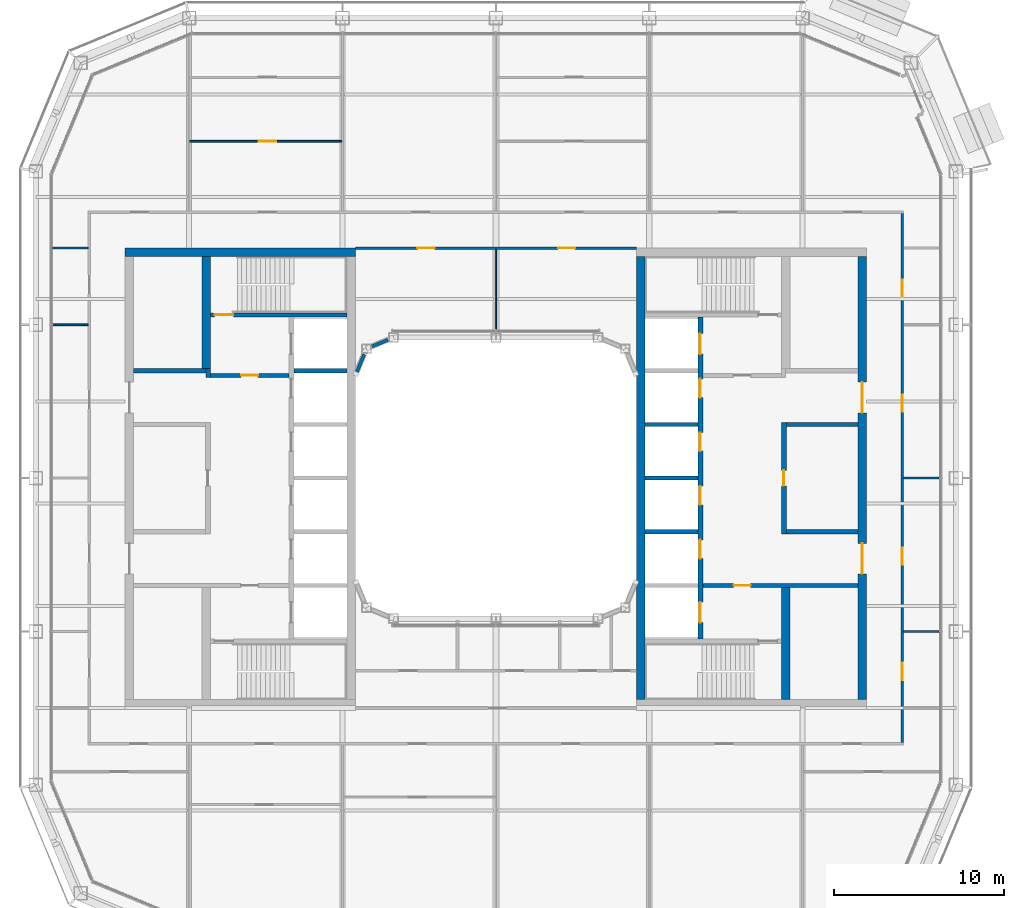
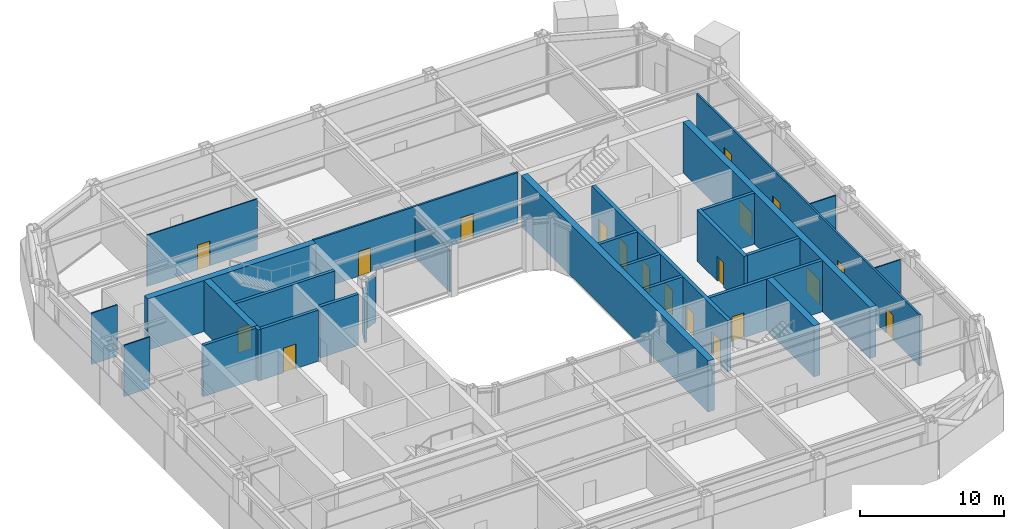
# One storey, part 14 of 23: 28 walls, 19 doors, 19 openings.
"""IFC4 building model written with IfcOpenShell, lengths in metres."""

from ifc_helpers import new_model, si_unit, direction, frame, frame_2d, origin, place, context, subcontext, project, spatial, rectangle, extrude, material, layer, layer_set, type_object, element, fill, save


model = new_model("IFC4")

# Units and contexts
model_context = context("Model", 3, precision=1e-05, world=origin(), true_north=direction((0.0, 1.0)))
body_context = subcontext(model_context, "Body", "Model", "MODEL_VIEW")
ifc_project = project(units=[si_unit("LENGTHUNIT", "METRE"), si_unit("AREAUNIT", "SQUARE_METRE"), si_unit("VOLUMEUNIT", "CUBIC_METRE"), si_unit("PLANEANGLEUNIT", "RADIAN"), si_unit("MASSUNIT", "GRAM", prefix="KILO")], contexts=[model_context])

# Site, building, storey
site_placement = place(None, origin())
site = spatial("IfcSite", under=ifc_project, at=site_placement, CompositionType="ELEMENT")
building_placement = place(site_placement, origin())
building = spatial("IfcBuilding", under=site, at=building_placement, Name="Siwar Civic Tower", CompositionType="ELEMENT")
storey_placement = place(building_placement, frame((0.0, 0.0, 242.199951171875)))
storey = spatial("IfcBuildingStorey", under=building, at=storey_placement, Name="L52", CompositionType="ELEMENT", Elevation=242.199951171875)

# Wall, opening, door
ifc_material_1 = material(Name="Concrete C60/75", Category="concrete")
ifc_layer_1 = layer(ifc_material_1, 0.25)
ifc_layer_set_1 = layer_set([ifc_layer_1], Name="Concrete C60/75")
wall_type_1 = type_object("IfcWallType", Name="CORE-WALL-RC250", PredefinedType="SHEAR", material=ifc_layer_set_1)
wall_1_placement = place(storey_placement, frame((-12.14990234375, 6.02490234375, 0.0), z_axis=(0.0, 0.0, 1.0), x_axis=(-1.0, 0.0, 0.0)))
wall_1 = element("IfcWall", 1, at=wall_1_placement, inside=storey, type_object=wall_type_1, Name="Core wall W", PredefinedType="SHEAR", context=body_context, shape_type="SweptSolid", body=[
    extrude(rectangle(XDim=4.60009765625, YDim=0.25, at=frame_2d((2.300048828125, 0.0))), origin(), (0.0, 0.0, 1.0), 4.35009765625),
])
opening_1_placement = place(wall_1_placement, frame((1.800048828125, 0.0, 0.0)))
opening_1 = element("IfcOpeningElement", 2, at=opening_1_placement, cuts=wall_1, Name="Opening L52-CW01", PredefinedType="OPENING", context=body_context, shape_type="SweptSolid", body=[
    extrude(rectangle(XDim=1.0, YDim=2.10009765625, at=frame_2d((0.5, 1.050048828125))), frame((0.0, 0.135009765625, 0.0), z_axis=(0.0, -1.0, 0.0), x_axis=(1.0, 0.0, 0.0)), (0.0, 0.0, 1.0), 0.27001953125),
])
ifc_material_2 = material(Name="Steel door leaf", Category="steel")
door_type_1 = type_object("IfcDoorType", Name="CORE-DOOR-FD30S", OperationType="SINGLE_SWING_LEFT", PredefinedType="DOOR", material=ifc_material_2)
door_1_placement = place(opening_1_placement, origin())
door_1 = element("IfcDoor", 3, at=door_1_placement, inside=storey, type_object=door_type_1, Name="Firefighting lobby door L52-CW01", OperationType="SINGLE_SWING_LEFT", OverallHeight=2.10009765625, OverallWidth=1.0, PredefinedType="DOOR", context=body_context, shape_type="SweptSolid", body=[
    extrude(rectangle(XDim=1.0, YDim=2.10009765625, at=frame_2d((0.5, 1.050048828125))), frame((0.0, 0.02490234375, 0.0), z_axis=(0.0, -1.0, 0.0), x_axis=(1.0, 0.0, 0.0)), (0.0, 0.0, 1.0), 0.050048828125),
])
fill(opening_1, door_1)

# Walls
wall_2_placement = place(storey_placement, frame((-16.875, 5.89990234375, 0.0), z_axis=(0.0, 0.0, 1.0), x_axis=(0.0, 1.0, 0.0)))
element("IfcWall", 4, at=wall_2_placement, inside=storey, type_object=wall_type_1, Name="Core wall W", PredefinedType="SHEAR", context=body_context, shape_type="SweptSolid", body=[
    extrude(rectangle(XDim=0.525146484375, YDim=0.25, at=frame_2d((0.2626953125, 0.0))), origin(), (0.0, 0.0, 1.0), 4.35009765625),
])
wall_3_placement = place(storey_placement, frame((-17.0, 6.300048828125, 0.0), z_axis=(0.0, 0.0, 1.0), x_axis=(-1.0, 0.0, 0.0)))
element("IfcWall", 5, at=wall_3_placement, inside=storey, type_object=wall_type_1, Name="Core wall W", PredefinedType="SHEAR", context=body_context, shape_type="SweptSolid", body=[
    extrude(rectangle(XDim=4.25, YDim=0.25, at=frame_2d((2.125, 0.0))), origin(), (0.0, 0.0, 1.0), 4.35009765625),
])
wall_4_placement = place(storey_placement, frame((-8.75, 6.300048828125, 0.0), z_axis=(0.0, 0.0, 1.0), x_axis=(-1.0, 0.0, 0.0)))
element("IfcWall", 6, at=wall_4_placement, inside=storey, type_object=wall_type_1, Name="Core wall W", PredefinedType="SHEAR", context=body_context, shape_type="SweptSolid", body=[
    extrude(rectangle(XDim=3.10009765625, YDim=0.25, at=frame_2d((1.550048828125, 0.0))), origin(), (0.0, 0.0, 1.0), 4.35009765625),
])

# Wall, opening, door
wall_5_placement = place(storey_placement, frame((-8.75, 9.574951171875, 0.0), z_axis=(0.0, 0.0, 1.0), x_axis=(-1.0, 0.0, 0.0)))
wall_5 = element("IfcWall", 7, at=wall_5_placement, inside=storey, type_object=wall_type_1, Name="Core wall W", PredefinedType="SHEAR", context=body_context, shape_type="SweptSolid", body=[
    extrude(rectangle(XDim=8.0, YDim=0.25, at=frame_2d((4.0, 0.0))), origin(), (0.0, 0.0, 1.0), 4.35009765625),
])
opening_2_placement = place(wall_5_placement, frame((6.64990234375, 0.0, 0.0)))
opening_2 = element("IfcOpeningElement", 8, at=opening_2_placement, cuts=wall_5, Name="Opening L52-CW03", PredefinedType="OPENING", context=body_context, shape_type="SweptSolid", body=[
    extrude(rectangle(XDim=1.10009765625, YDim=2.10009765625, at=frame_2d((0.550048828125, 1.050048828125))), frame((0.0, 0.135009765625, 0.0), z_axis=(0.0, -1.0, 0.0), x_axis=(1.0, 0.0, 0.0)), (0.0, 0.0, 1.0), 0.27001953125),
])
ifc_material_3 = material(Name="Steel door leaf", Category="steel")
door_type_2 = type_object("IfcDoorType", Name="CORE-DOOR-FD60S", OperationType="SINGLE_SWING_LEFT", PredefinedType="DOOR", material=ifc_material_3)
door_2_placement = place(opening_2_placement, origin())
door_2 = element("IfcDoor", 9, at=door_2_placement, inside=storey, type_object=door_type_2, Name="Stair door L52-CW03", OperationType="SINGLE_SWING_RIGHT", OverallHeight=2.10009765625, OverallWidth=1.10009765625, PredefinedType="DOOR", context=body_context, shape_type="SweptSolid", body=[
    extrude(rectangle(XDim=1.10009765625, YDim=2.10009765625, at=frame_2d((0.550048828125, 1.050048828125))), frame((0.0, 0.02490234375, 0.0), z_axis=(0.0, -1.0, 0.0), x_axis=(1.0, 0.0, 0.0)), (0.0, 0.0, 1.0), 0.050048828125),
])
fill(opening_2, door_2)

wall_6_placement = place(storey_placement, frame((12.14990234375, -6.300048828125, 0.0), z_axis=(0.0, 0.0, 1.0), x_axis=(1.0, 0.0, 0.0)))
wall_6 = element("IfcWall", 10, at=wall_6_placement, inside=storey, type_object=wall_type_1, Name="Core wall E", PredefinedType="SHEAR", context=body_context, shape_type="SweptSolid", body=[
    extrude(rectangle(XDim=9.10009765625, YDim=0.25, at=frame_2d((4.550048828125, 0.0))), origin(), (0.0, 0.0, 1.0), 4.35009765625),
])
opening_3_placement = place(wall_6_placement, frame((1.800048828125, 0.0, 0.0)))
opening_3 = element("IfcOpeningElement", 11, at=opening_3_placement, cuts=wall_6, Name="Opening L52-CE02", PredefinedType="OPENING", context=body_context, shape_type="SweptSolid", body=[
    extrude(rectangle(XDim=1.0, YDim=2.10009765625, at=frame_2d((0.5, 1.050048828125))), frame((0.0, 0.135009765625, 0.0), z_axis=(0.0, -1.0, 0.0), x_axis=(1.0, 0.0, 0.0)), (0.0, 0.0, 1.0), 0.27001953125),
])
door_3_placement = place(opening_3_placement, origin())
door_3 = element("IfcDoor", 12, at=door_3_placement, inside=storey, type_object=door_type_1, Name="Service lobby door L52-CE02", OperationType="SINGLE_SWING_LEFT", OverallHeight=2.10009765625, OverallWidth=1.0, PredefinedType="DOOR", context=body_context, shape_type="SweptSolid", body=[
    extrude(rectangle(XDim=1.0, YDim=2.10009765625, at=frame_2d((0.5, 1.050048828125))), frame((0.0, 0.02490234375, 0.0), z_axis=(0.0, -1.0, 0.0), x_axis=(1.0, 0.0, 0.0)), (0.0, 0.0, 1.0), 0.050048828125),
])
fill(opening_3, door_3)

# Walls
for number, where, z_axis, x_axis, name in (
    (13, (17.050048828125, 3.14990234375, 0.0), (0.0, 0.0, 1.0), (1.0, 0.0, 0.0), "Core wall E"),
    (14, (17.050048828125, -3.14990234375, 0.0), (0.0, 0.0, 1.0), (1.0, 0.0, 0.0), "Core wall E"),
):
    element("IfcWall", number, at=place(storey_placement, frame(where, z_axis=z_axis, x_axis=x_axis)), inside=storey, type_object=wall_type_1, Name=name, PredefinedType="SHEAR", context=body_context, shape_type="SweptSolid", body=[
        extrude(rectangle(XDim=4.199951171875, YDim=0.25, at=frame_2d((2.10009765625, 0.0))), origin(), (0.0, 0.0, 1.0), 4.35009765625),
    ])
for number, where, z_axis, x_axis, name in (
    (15, (8.75, 0.0, 0.0), (0.0, 0.0, 1.0), (1.0, 0.0, 0.0), "Core wall E"),
    (16, (8.75, 3.14990234375, 0.0), (0.0, 0.0, 1.0), (1.0, 0.0, 0.0), "Core wall E"),
    (17, (8.75, -3.14990234375, 0.0), (0.0, 0.0, 1.0), (1.0, 0.0, 0.0), "Core wall E"),
):
    element("IfcWall", number, at=place(storey_placement, frame(where, z_axis=z_axis, x_axis=x_axis)), inside=storey, type_object=wall_type_1, Name=name, PredefinedType="SHEAR", context=body_context, shape_type="SweptSolid", body=[
        extrude(rectangle(XDim=3.10009765625, YDim=0.25, at=frame_2d((1.550048828125, 0.0))), origin(), (0.0, 0.0, 1.0), 4.35009765625),
    ])

# Wall, openings, doors
ifc_material_4 = material(Name="Concrete C60/75", Category="concrete")
ifc_layer_2 = layer(ifc_material_4, 0.300048828125)
ifc_layer_set_2 = layer_set([ifc_layer_2], Name="Concrete C60/75")
wall_type_2 = type_object("IfcWallType", Name="CORE-WALL-RC300", PredefinedType="SHEAR", material=ifc_layer_set_2)
wall_7_placement = place(storey_placement, frame((12.0, -9.449951171875, 0.0), z_axis=(0.0, 0.0, 1.0), x_axis=(0.0, 1.0, 0.0)))
wall_7 = element("IfcWall", 18, at=wall_7_placement, inside=storey, type_object=wall_type_2, Name="Core wall E", PredefinedType="SHEAR", context=body_context, shape_type="SweptSolid", body=[
    extrude(rectangle(XDim=18.89990234375, YDim=0.300048828125, at=frame_2d((9.449951171875, 0.0))), origin(), (0.0, 0.0, 1.0), 4.35009765625),
])
opening_4_placement = place(wall_7_placement, frame((4.72509765625, 0.0, 0.0)))
opening_4 = element("IfcOpeningElement", 19, at=opening_4_placement, cuts=wall_7, Name="Opening L52-CE07", PredefinedType="OPENING", context=body_context, shape_type="SweptSolid", body=[
    extrude(rectangle(XDim=1.10009765625, YDim=2.10009765625, at=frame_2d((0.550048828125, 1.050048828125))), frame((0.0, 0.16015625, 0.0), z_axis=(0.0, -1.0, 0.0), x_axis=(1.0, 0.0, 0.0)), (0.0, 0.0, 1.0), 0.320068359375),
])
opening_5_placement = place(wall_7_placement, frame((7.875, 0.0, 0.0)))
opening_5 = element("IfcOpeningElement", 20, at=opening_5_placement, cuts=wall_7, Name="Opening L52-CE08", PredefinedType="OPENING", context=body_context, shape_type="SweptSolid", body=[
    extrude(rectangle(XDim=1.10009765625, YDim=2.10009765625, at=frame_2d((0.550048828125, 1.050048828125))), frame((0.0, 0.16015625, 0.0), z_axis=(0.0, -1.0, 0.0), x_axis=(1.0, 0.0, 0.0)), (0.0, 0.0, 1.0), 0.320068359375),
])
opening_6_placement = place(wall_7_placement, frame((11.02490234375, 0.0, 0.0)))
opening_6 = element("IfcOpeningElement", 21, at=opening_6_placement, cuts=wall_7, Name="Opening L52-CE09", PredefinedType="OPENING", context=body_context, shape_type="SweptSolid", body=[
    extrude(rectangle(XDim=1.10009765625, YDim=2.10009765625, at=frame_2d((0.550048828125, 1.050048828125))), frame((0.0, 0.16015625, 0.0), z_axis=(0.0, -1.0, 0.0), x_axis=(1.0, 0.0, 0.0)), (0.0, 0.0, 1.0), 0.320068359375),
])
opening_7_placement = place(wall_7_placement, frame((14.175048828125, 0.0, 0.0)))
opening_7 = element("IfcOpeningElement", 22, at=opening_7_placement, cuts=wall_7, Name="Opening L52-CE10", PredefinedType="OPENING", context=body_context, shape_type="SweptSolid", body=[
    extrude(rectangle(XDim=1.10009765625, YDim=2.10009765625, at=frame_2d((0.550048828125, 1.050048828125))), frame((0.0, 0.16015625, 0.0), z_axis=(0.0, -1.0, 0.0), x_axis=(1.0, 0.0, 0.0)), (0.0, 0.0, 1.0), 0.320068359375),
])
opening_8_placement = place(wall_7_placement, frame((16.72509765625, 0.0, 0.0)))
opening_8 = element("IfcOpeningElement", 23, at=opening_8_placement, cuts=wall_7, Name="Opening L52-CE11", PredefinedType="OPENING", context=body_context, shape_type="SweptSolid", body=[
    extrude(rectangle(XDim=1.199951171875, YDim=2.10009765625, at=frame_2d((0.60009765625, 1.050048828125))), frame((0.0, 0.16015625, 0.0), z_axis=(0.0, -1.0, 0.0), x_axis=(1.0, 0.0, 0.0)), (0.0, 0.0, 1.0), 0.320068359375),
])
opening_9_placement = place(wall_7_placement, frame((0.97509765625, 0.0, 0.0)))
opening_9 = element("IfcOpeningElement", 24, at=opening_9_placement, cuts=wall_7, Name="Opening L52-CE12", PredefinedType="OPENING", context=body_context, shape_type="SweptSolid", body=[
    extrude(rectangle(XDim=1.199951171875, YDim=2.10009765625, at=frame_2d((0.60009765625, 1.050048828125))), frame((0.0, 0.16015625, 0.0), z_axis=(0.0, -1.0, 0.0), x_axis=(1.0, 0.0, 0.0)), (0.0, 0.0, 1.0), 0.320068359375),
])
ifc_material_5 = material(Name="Steel door leaf", Category="steel")
door_type_3 = type_object("IfcDoorType", Name="CORE-DOOR-LD", OperationType="DOUBLE_DOOR_SLIDING", PredefinedType="DOOR", material=ifc_material_5)
door_4_placement = place(opening_4_placement, origin())
door_4 = element("IfcDoor", 25, at=door_4_placement, inside=storey, type_object=door_type_3, Name="Landing door HR5 L52-CE07", OperationType="DOUBLE_DOOR_SLIDING", OverallHeight=2.10009765625, OverallWidth=1.10009765625, PredefinedType="DOOR", context=body_context, shape_type="SweptSolid", body=[
    extrude(rectangle(XDim=1.10009765625, YDim=2.10009765625, at=frame_2d((0.550048828125, 1.050048828125))), frame((0.0, 0.02490234375, 0.0), z_axis=(0.0, -1.0, 0.0), x_axis=(1.0, 0.0, 0.0)), (0.0, 0.0, 1.0), 0.050048828125),
])
fill(opening_4, door_4)
door_5_placement = place(opening_5_placement, origin())
door_5 = element("IfcDoor", 26, at=door_5_placement, inside=storey, type_object=door_type_3, Name="Landing door HR6 L52-CE08", OperationType="DOUBLE_DOOR_SLIDING", OverallHeight=2.10009765625, OverallWidth=1.10009765625, PredefinedType="DOOR", context=body_context, shape_type="SweptSolid", body=[
    extrude(rectangle(XDim=1.10009765625, YDim=2.10009765625, at=frame_2d((0.550048828125, 1.050048828125))), frame((0.0, 0.02490234375, 0.0), z_axis=(0.0, -1.0, 0.0), x_axis=(1.0, 0.0, 0.0)), (0.0, 0.0, 1.0), 0.050048828125),
])
fill(opening_5, door_5)
door_6_placement = place(opening_6_placement, origin())
door_6 = element("IfcDoor", 27, at=door_6_placement, inside=storey, type_object=door_type_3, Name="Landing door HR7 L52-CE09", OperationType="DOUBLE_DOOR_SLIDING", OverallHeight=2.10009765625, OverallWidth=1.10009765625, PredefinedType="DOOR", context=body_context, shape_type="SweptSolid", body=[
    extrude(rectangle(XDim=1.10009765625, YDim=2.10009765625, at=frame_2d((0.550048828125, 1.050048828125))), frame((0.0, 0.02490234375, 0.0), z_axis=(0.0, -1.0, 0.0), x_axis=(1.0, 0.0, 0.0)), (0.0, 0.0, 1.0), 0.050048828125),
])
fill(opening_6, door_6)
door_7_placement = place(opening_7_placement, origin())
door_7 = element("IfcDoor", 28, at=door_7_placement, inside=storey, type_object=door_type_3, Name="Landing door HR8 L52-CE10", OperationType="DOUBLE_DOOR_SLIDING", OverallHeight=2.10009765625, OverallWidth=1.10009765625, PredefinedType="DOOR", context=body_context, shape_type="SweptSolid", body=[
    extrude(rectangle(XDim=1.10009765625, YDim=2.10009765625, at=frame_2d((0.550048828125, 1.050048828125))), frame((0.0, 0.02490234375, 0.0), z_axis=(0.0, -1.0, 0.0), x_axis=(1.0, 0.0, 0.0)), (0.0, 0.0, 1.0), 0.050048828125),
])
fill(opening_7, door_7)
ifc_material_6 = material(Name="Steel door leaf", Category="steel")
door_type_4 = type_object("IfcDoorType", Name="CORE-DOOR-LDW", OperationType="DOUBLE_DOOR_SLIDING", PredefinedType="DOOR", material=ifc_material_6)
door_8_placement = place(opening_8_placement, origin())
door_8 = element("IfcDoor", 29, at=door_8_placement, inside=storey, type_object=door_type_4, Name="Landing door FF2 L52-CE11", OperationType="DOUBLE_DOOR_SLIDING", OverallHeight=2.10009765625, OverallWidth=1.199951171875, PredefinedType="DOOR", context=body_context, shape_type="SweptSolid", body=[
    extrude(rectangle(XDim=1.199951171875, YDim=2.10009765625, at=frame_2d((0.60009765625, 1.050048828125))), frame((0.0, 0.02490234375, 0.0), z_axis=(0.0, -1.0, 0.0), x_axis=(1.0, 0.0, 0.0)), (0.0, 0.0, 1.0), 0.050048828125),
])
fill(opening_8, door_8)
door_9_placement = place(opening_9_placement, origin())
door_9 = element("IfcDoor", 30, at=door_9_placement, inside=storey, type_object=door_type_4, Name="Landing door SV2 L52-CE12", OperationType="DOUBLE_DOOR_SLIDING", OverallHeight=2.10009765625, OverallWidth=1.199951171875, PredefinedType="DOOR", context=body_context, shape_type="SweptSolid", body=[
    extrude(rectangle(XDim=1.199951171875, YDim=2.10009765625, at=frame_2d((0.60009765625, 1.050048828125))), frame((0.0, 0.02490234375, 0.0), z_axis=(0.0, -1.0, 0.0), x_axis=(1.0, 0.0, 0.0)), (0.0, 0.0, 1.0), 0.050048828125),
])
fill(opening_9, door_9)

# Wall, opening, door
wall_8_placement = place(storey_placement, frame((16.89990234375, -3.27490234375, 0.0), z_axis=(0.0, 0.0, 1.0), x_axis=(0.0, 1.0, 0.0)))
wall_8 = element("IfcWall", 31, at=wall_8_placement, inside=storey, type_object=wall_type_2, Name="Core wall E", PredefinedType="SHEAR", context=body_context, shape_type="SweptSolid", body=[
    extrude(rectangle(XDim=6.5498046875, YDim=0.300048828125, at=frame_2d((3.27490234375, 0.0))), origin(), (0.0, 0.0, 1.0), 4.35009765625),
])
opening_10_placement = place(wall_8_placement, frame((2.824951171875, 0.0, 0.0)))
opening_10 = element("IfcOpeningElement", 32, at=opening_10_placement, cuts=wall_8, Name="Opening L52-CE13", PredefinedType="OPENING", context=body_context, shape_type="SweptSolid", body=[
    extrude(rectangle(XDim=0.89990234375, YDim=2.10009765625, at=frame_2d((0.449951171875, 1.050048828125))), frame((0.0, 0.16015625, 0.0), z_axis=(0.0, -1.0, 0.0), x_axis=(1.0, 0.0, 0.0)), (0.0, 0.0, 1.0), 0.320068359375),
])
ifc_material_7 = material(Name="Steel door leaf", Category="steel")
door_type_5 = type_object("IfcDoorType", Name="CORE-DOOR-ROOM", OperationType="SINGLE_SWING_LEFT", PredefinedType="DOOR", material=ifc_material_7)
door_10_placement = place(opening_10_placement, origin())
door_10 = element("IfcDoor", 33, at=door_10_placement, inside=storey, type_object=door_type_5, Name="Core room door L52-CE13", OperationType="SINGLE_SWING_LEFT", OverallHeight=2.10009765625, OverallWidth=0.89990234375, PredefinedType="DOOR", context=body_context, shape_type="SweptSolid", body=[
    extrude(rectangle(XDim=0.89990234375, YDim=2.10009765625, at=frame_2d((0.449951171875, 1.050048828125))), frame((0.0, 0.02490234375, 0.0), z_axis=(0.0, -1.0, 0.0), x_axis=(1.0, 0.0, 0.0)), (0.0, 0.0, 1.0), 0.050048828125),
])
fill(opening_10, door_10)

# Walls
ifc_material_8 = material(Name="Concrete C60/75", Category="concrete")
ifc_layer_3 = layer(ifc_material_8, 0.5)
ifc_layer_set_3 = layer_set([ifc_layer_3], Name="Concrete C60/75")
wall_type_3 = type_object("IfcWallType", Name="CORE-WALL-RC500", PredefinedType="SHEAR", material=ifc_layer_set_3)
wall_9_placement = place(storey_placement, frame((-17.0, 6.425048828125, 0.0), z_axis=(0.0, 0.0, 1.0), x_axis=(0.0, 1.0, 0.0)))
element("IfcWall", 34, at=wall_9_placement, inside=storey, type_object=wall_type_3, Name="Core wall W", PredefinedType="SHEAR", context=body_context, shape_type="SweptSolid", body=[
    extrude(rectangle(XDim=6.574951171875, YDim=0.5, at=frame_2d((3.28759765625, 0.0))), origin(), (0.0, 0.0, 1.0), 4.35009765625),
])
wall_10_placement = place(storey_placement, frame((-8.25, 13.25, 0.0), z_axis=(0.0, 0.0, 1.0), x_axis=(-1.0, 0.0, 0.0)))
element("IfcWall", 35, at=wall_10_placement, inside=storey, type_object=wall_type_3, Name="Core wall W", PredefinedType="SHEAR", context=body_context, shape_type="SweptSolid", body=[
    extrude(rectangle(XDim=13.5, YDim=0.5, at=frame_2d((6.75, 0.0))), origin(), (0.0, 0.0, 1.0), 4.35009765625),
])

# Wall, openings, doors
wall_11_placement = place(storey_placement, frame((21.5, -13.0, 0.0), z_axis=(0.0, 0.0, 1.0), x_axis=(0.0, 1.0, 0.0)))
wall_11 = element("IfcWall", 36, at=wall_11_placement, inside=storey, type_object=wall_type_3, Name="Core wall E", PredefinedType="SHEAR", context=body_context, shape_type="SweptSolid", body=[
    extrude(rectangle(XDim=26.0, YDim=0.5, at=frame_2d((13.0, 0.0))), origin(), (0.0, 0.0, 1.0), 4.35009765625),
])
opening_11_placement = place(wall_11_placement, frame((16.824951171875, 0.0, 0.0)))
opening_11 = element("IfcOpeningElement", 37, at=opening_11_placement, cuts=wall_11, Name="Opening L52-CE05", PredefinedType="OPENING", context=body_context, shape_type="SweptSolid", body=[
    extrude(rectangle(XDim=1.800048828125, YDim=2.10009765625, at=frame_2d((0.89990234375, 1.050048828125))), frame((0.0, 0.260009765625, 0.0), z_axis=(0.0, -1.0, 0.0), x_axis=(1.0, 0.0, 0.0)), (0.0, 0.0, 1.0), 0.52001953125),
])
opening_12_placement = place(wall_11_placement, frame((7.375, 0.0, 0.0)))
opening_12 = element("IfcOpeningElement", 38, at=opening_12_placement, cuts=wall_11, Name="Opening L52-CE06", PredefinedType="OPENING", context=body_context, shape_type="SweptSolid", body=[
    extrude(rectangle(XDim=1.800048828125, YDim=2.10009765625, at=frame_2d((0.89990234375, 1.050048828125))), frame((0.0, 0.260009765625, 0.0), z_axis=(0.0, -1.0, 0.0), x_axis=(1.0, 0.0, 0.0)), (0.0, 0.0, 1.0), 0.52001953125),
])
ifc_material_9 = material(Name="Steel door leaf", Category="steel")
door_type_6 = type_object("IfcDoorType", Name="CORE-DOOR-PORT", OperationType="DOUBLE_DOOR_DOUBLE_SWING", PredefinedType="DOOR", material=ifc_material_9)
door_11_placement = place(opening_11_placement, origin())
door_11 = element("IfcDoor", 39, at=door_11_placement, inside=storey, type_object=door_type_6, Name="Core entrance door L52-CE05", OperationType="DOUBLE_DOOR_DOUBLE_SWING", OverallHeight=2.10009765625, OverallWidth=1.800048828125, PredefinedType="DOOR", context=body_context, shape_type="SweptSolid", body=[
    extrude(rectangle(XDim=1.800048828125, YDim=2.10009765625, at=frame_2d((0.89990234375, 1.050048828125))), frame((0.0, 0.02490234375, 0.0), z_axis=(0.0, -1.0, 0.0), x_axis=(1.0, 0.0, 0.0)), (0.0, 0.0, 1.0), 0.050048828125),
])
fill(opening_11, door_11)
door_12_placement = place(opening_12_placement, origin())
door_12 = element("IfcDoor", 40, at=door_12_placement, inside=storey, type_object=door_type_6, Name="Core entrance door L52-CE06", OperationType="DOUBLE_DOOR_DOUBLE_SWING", OverallHeight=2.10009765625, OverallWidth=1.800048828125, PredefinedType="DOOR", context=body_context, shape_type="SweptSolid", body=[
    extrude(rectangle(XDim=1.800048828125, YDim=2.10009765625, at=frame_2d((0.89990234375, 1.050048828125))), frame((0.0, 0.02490234375, 0.0), z_axis=(0.0, -1.0, 0.0), x_axis=(1.0, 0.0, 0.0)), (0.0, 0.0, 1.0), 0.050048828125),
])
fill(opening_12, door_12)

# Walls
wall_12_placement = place(storey_placement, frame((17.0, -13.0, 0.0), z_axis=(0.0, 0.0, 1.0), x_axis=(0.0, 1.0, 0.0)))
element("IfcWall", 41, at=wall_12_placement, inside=storey, type_object=wall_type_3, Name="Core wall E", PredefinedType="SHEAR", context=body_context, shape_type="SweptSolid", body=[
    extrude(rectangle(XDim=6.574951171875, YDim=0.5, at=frame_2d((3.28759765625, 0.0))), origin(), (0.0, 0.0, 1.0), 4.35009765625),
])
ifc_material_10 = material(Name="Concrete C60/75", Category="concrete")
ifc_layer_4 = layer(ifc_material_10, 0.5)
ifc_layer_set_4 = layer_set([ifc_layer_4], Name="Concrete C60/75")
wall_type_4 = type_object("IfcWallType", Name="CORE-WALL-RC500-EXT", PredefinedType="SHEAR", material=ifc_layer_set_4)
wall_13_placement = place(storey_placement, frame((8.5, -13.0, 0.0), z_axis=(0.0, 0.0, 1.0), x_axis=(0.0, 1.0, 0.0)))
element("IfcWall", 42, at=wall_13_placement, inside=storey, type_object=wall_type_4, Name="Core wall E", PredefinedType="SHEAR", context=body_context, shape_type="SweptSolid", body=[
    extrude(rectangle(XDim=26.0, YDim=0.5, at=frame_2d((13.0, 0.0))), origin(), (0.0, 0.0, 1.0), 4.35009765625),
])

# Wall, openings, doors
ifc_material_11 = material(Name="Gypsum board on steel studs", Category="steel")
ifc_layer_5 = layer(ifc_material_11, 0.14990234375)
ifc_layer_set_5 = layer_set([ifc_layer_5], Name="Gypsum board on steel studs")
wall_type_5 = type_object("IfcWallType", Name="CORRIDOR PARTITION 150 EI 30", PredefinedType="PARTITIONING", material=ifc_layer_set_5)
wall_14_placement = place(storey_placement, frame((-8.25, 13.5, 0.0), z_axis=(0.0, 0.0, 1.0), x_axis=(1.0, 0.0, 0.0)))
wall_14 = element("IfcWall", 43, at=wall_14_placement, inside=storey, type_object=wall_type_5, Name="L52/wall/P19", PredefinedType="PARTITIONING", context=body_context, shape_type="SweptSolid", body=[
    extrude(rectangle(XDim=16.5, YDim=0.14990234375, at=frame_2d((8.25, 0.0))), origin(), (0.0, 0.0, 1.0), 4.35009765625),
])
opening_13_placement = place(wall_14_placement, frame((3.64990234375, 0.0, 0.0)))
opening_13 = element("IfcOpeningElement", 44, at=opening_13_placement, cuts=wall_14, Name="Opening D1", PredefinedType="OPENING", context=body_context, shape_type="SweptSolid", body=[
    extrude(rectangle(XDim=1.0, YDim=2.10009765625, at=frame_2d((0.5, 1.050048828125))), frame((0.0, 0.0849609375, 0.0), z_axis=(0.0, -1.0, 0.0), x_axis=(1.0, 0.0, 0.0)), (0.0, 0.0, 1.0), 0.169921875),
])
opening_14_placement = place(wall_14_placement, frame((11.89990234375, 0.0, 0.0)))
opening_14 = element("IfcOpeningElement", 45, at=opening_14_placement, cuts=wall_14, Name="Opening D1", PredefinedType="OPENING", context=body_context, shape_type="SweptSolid", body=[
    extrude(rectangle(XDim=1.0, YDim=2.10009765625, at=frame_2d((0.5, 1.050048828125))), frame((0.0, 0.0849609375, 0.0), z_axis=(0.0, -1.0, 0.0), x_axis=(1.0, 0.0, 0.0)), (0.0, 0.0, 1.0), 0.169921875),
])
ifc_material_12 = material(Name="Timber, painted", Category="wood")
door_type_7 = type_object("IfcDoorType", Name="DOOR 1000 X 2100 FD30", OperationType="SINGLE_SWING_LEFT", PredefinedType="DOOR", material=ifc_material_12)
door_13_placement = place(opening_13_placement, origin())
door_13 = element("IfcDoor", 46, at=door_13_placement, inside=storey, type_object=door_type_7, Name="L52-D29", OperationType="SINGLE_SWING_LEFT", OverallHeight=2.10009765625, OverallWidth=1.0, PredefinedType="DOOR", context=body_context, shape_type="SweptSolid", body=[
    extrude(rectangle(XDim=1.0, YDim=2.10009765625, at=frame_2d((0.5, 1.050048828125))), frame((0.0, 0.02490234375, 0.0), z_axis=(0.0, -1.0, 0.0), x_axis=(1.0, 0.0, 0.0)), (0.0, 0.0, 1.0), 0.050048828125),
])
fill(opening_13, door_13)
door_14_placement = place(opening_14_placement, origin())
door_14 = element("IfcDoor", 47, at=door_14_placement, inside=storey, type_object=door_type_7, Name="L52-D30", OperationType="SINGLE_SWING_RIGHT", OverallHeight=2.10009765625, OverallWidth=1.0, PredefinedType="DOOR", context=body_context, shape_type="SweptSolid", body=[
    extrude(rectangle(XDim=1.0, YDim=2.10009765625, at=frame_2d((0.5, 1.050048828125))), frame((0.0, 0.02490234375, 0.0), z_axis=(0.0, -1.0, 0.0), x_axis=(1.0, 0.0, 0.0)), (0.0, 0.0, 1.0), 0.050048828125),
])
fill(opening_14, door_14)

wall_15_placement = place(storey_placement, frame((23.85009765625, -15.52490234375, 0.0), z_axis=(0.0, 0.0, 1.0), x_axis=(0.0, 1.0, 0.0)))
wall_15 = element("IfcWall", 48, at=wall_15_placement, inside=storey, type_object=wall_type_5, Name="L52/wall/P40", PredefinedType="PARTITIONING", context=body_context, shape_type="SweptSolid", body=[
    extrude(rectangle(XDim=31.0498046875, YDim=0.14990234375, at=frame_2d((15.52490234375, 0.0))), origin(), (0.0, 0.0, 1.0), 4.35009765625),
])
opening_15_placement = place(wall_15_placement, frame((3.675048828125, 0.0, 0.0)))
opening_15 = element("IfcOpeningElement", 49, at=opening_15_placement, cuts=wall_15, Name="Opening D1", PredefinedType="OPENING", context=body_context, shape_type="SweptSolid", body=[
    extrude(rectangle(XDim=1.0, YDim=2.10009765625, at=frame_2d((0.5, 1.050048828125))), frame((0.0, 0.0849609375, 0.0), z_axis=(0.0, -1.0, 0.0), x_axis=(1.0, 0.0, 0.0)), (0.0, 0.0, 1.0), 0.169921875),
])
opening_16_placement = place(wall_15_placement, frame((10.425048828125, 0.0, 0.0)))
opening_16 = element("IfcOpeningElement", 50, at=opening_16_placement, cuts=wall_15, Name="Opening D1", PredefinedType="OPENING", context=body_context, shape_type="SweptSolid", body=[
    extrude(rectangle(XDim=1.0, YDim=2.10009765625, at=frame_2d((0.5, 1.050048828125))), frame((0.0, 0.0849609375, 0.0), z_axis=(0.0, -1.0, 0.0), x_axis=(1.0, 0.0, 0.0)), (0.0, 0.0, 1.0), 0.169921875),
])
opening_17_placement = place(wall_15_placement, frame((19.425048828125, 0.0, 0.0)))
opening_17 = element("IfcOpeningElement", 51, at=opening_17_placement, cuts=wall_15, Name="Opening D1", PredefinedType="OPENING", context=body_context, shape_type="SweptSolid", body=[
    extrude(rectangle(XDim=1.0, YDim=2.10009765625, at=frame_2d((0.5, 1.050048828125))), frame((0.0, 0.0849609375, 0.0), z_axis=(0.0, -1.0, 0.0), x_axis=(1.0, 0.0, 0.0)), (0.0, 0.0, 1.0), 0.169921875),
])
opening_18_placement = place(wall_15_placement, frame((26.175048828125, 0.0, 0.0)))
opening_18 = element("IfcOpeningElement", 52, at=opening_18_placement, cuts=wall_15, Name="Opening D1", PredefinedType="OPENING", context=body_context, shape_type="SweptSolid", body=[
    extrude(rectangle(XDim=1.0, YDim=2.10009765625, at=frame_2d((0.5, 1.050048828125))), frame((0.0, 0.0849609375, 0.0), z_axis=(0.0, -1.0, 0.0), x_axis=(1.0, 0.0, 0.0)), (0.0, 0.0, 1.0), 0.169921875),
])
door_15_placement = place(opening_15_placement, origin())
door_15 = element("IfcDoor", 53, at=door_15_placement, inside=storey, type_object=door_type_7, Name="L52-D25", OperationType="SINGLE_SWING_LEFT", OverallHeight=2.10009765625, OverallWidth=1.0, PredefinedType="DOOR", context=body_context, shape_type="SweptSolid", body=[
    extrude(rectangle(XDim=1.0, YDim=2.10009765625, at=frame_2d((0.5, 1.050048828125))), frame((0.0, 0.02490234375, 0.0), z_axis=(0.0, -1.0, 0.0), x_axis=(1.0, 0.0, 0.0)), (0.0, 0.0, 1.0), 0.050048828125),
])
fill(opening_15, door_15)
door_16_placement = place(opening_16_placement, origin())
door_16 = element("IfcDoor", 54, at=door_16_placement, inside=storey, type_object=door_type_7, Name="L52-D26", OperationType="SINGLE_SWING_RIGHT", OverallHeight=2.10009765625, OverallWidth=1.0, PredefinedType="DOOR", context=body_context, shape_type="SweptSolid", body=[
    extrude(rectangle(XDim=1.0, YDim=2.10009765625, at=frame_2d((0.5, 1.050048828125))), frame((0.0, 0.02490234375, 0.0), z_axis=(0.0, -1.0, 0.0), x_axis=(1.0, 0.0, 0.0)), (0.0, 0.0, 1.0), 0.050048828125),
])
fill(opening_16, door_16)
door_17_placement = place(opening_17_placement, origin())
door_17 = element("IfcDoor", 55, at=door_17_placement, inside=storey, type_object=door_type_7, Name="L52-D27", OperationType="SINGLE_SWING_LEFT", OverallHeight=2.10009765625, OverallWidth=1.0, PredefinedType="DOOR", context=body_context, shape_type="SweptSolid", body=[
    extrude(rectangle(XDim=1.0, YDim=2.10009765625, at=frame_2d((0.5, 1.050048828125))), frame((0.0, 0.02490234375, 0.0), z_axis=(0.0, -1.0, 0.0), x_axis=(1.0, 0.0, 0.0)), (0.0, 0.0, 1.0), 0.050048828125),
])
fill(opening_17, door_17)
door_18_placement = place(opening_18_placement, origin())
door_18 = element("IfcDoor", 56, at=door_18_placement, inside=storey, type_object=door_type_7, Name="L52-D28", OperationType="SINGLE_SWING_RIGHT", OverallHeight=2.10009765625, OverallWidth=1.0, PredefinedType="DOOR", context=body_context, shape_type="SweptSolid", body=[
    extrude(rectangle(XDim=1.0, YDim=2.10009765625, at=frame_2d((0.5, 1.050048828125))), frame((0.0, 0.02490234375, 0.0), z_axis=(0.0, -1.0, 0.0), x_axis=(1.0, 0.0, 0.0)), (0.0, 0.0, 1.0), 0.050048828125),
])
fill(opening_18, door_18)

# Walls
ifc_material_13 = material(Name="Aluminium clad insulated panel", Category="aluminium")
ifc_layer_6 = layer(ifc_material_13, 0.199951171875)
ifc_layer_set_6 = layer_set([ifc_layer_6], Name="Aluminium clad insulated panel")
wall_type_6 = type_object("IfcWallType", Name="ENV-WALL-WELL", PredefinedType="STANDARD", material=ifc_layer_set_6)
wall_16_placement = place(storey_placement, frame((-6.33203125, 8.112548828125, 0.0), z_axis=(0.0, 0.0, 1.0), x_axis=(-0.923859650767, -0.382731427616, 0.0)))
element("IfcWall", 57, at=wall_16_placement, inside=storey, type_object=wall_type_6, Name="Light well corner wall NW1", PredefinedType="STANDARD", context=body_context, shape_type="SweptSolid", body=[
    extrude(rectangle(XDim=1.00341796875, YDim=0.199951171875, at=frame_2d((0.501708984375, 0.0))), origin(), (0.0, 0.0, 1.0), 3.91796875),
])
wall_17_placement = place(storey_placement, frame((-7.728515625, 7.259033203125, 0.0), z_axis=(0.0, 0.0, 1.0), x_axis=(-0.382635994082, -0.923899180665, 0.0)))
element("IfcWall", 58, at=wall_17_placement, inside=storey, type_object=wall_type_6, Name="Light well corner wall NW2", PredefinedType="STANDARD", context=body_context, shape_type="SweptSolid", body=[
    extrude(rectangle(XDim=1.11279296875, YDim=0.199951171875, at=frame_2d((0.556396484375, 0.0))), origin(), (0.0, 0.0, 1.0), 3.91796875),
])
ifc_material_14 = material(Name="Gypsum board on steel studs", Category="steel")
ifc_layer_7 = layer(ifc_material_14, 0.10009765625)
ifc_layer_set_7 = layer_set([ifc_layer_7], Name="Gypsum board on steel studs")
wall_type_7 = type_object("IfcWallType", Name="PARTITION 100 GYPSUM", PredefinedType="PARTITIONING", material=ifc_layer_set_7)
for number, where, z_axis, x_axis, name in (
    (59, (23.925048828125, -9.0, 0.0), (0.0, 0.0, 1.0), (1.0, 0.0, 0.0), "L52/wall/P12"),
    (60, (23.925048828125, 0.0, 0.0), (0.0, 0.0, 1.0), (1.0, 0.0, 0.0), "L52/wall/P14"),
    (61, (-26.010009765625, 9.0, 0.0), (0.0, 0.0, 1.0), (1.0, 0.0, 0.0), "L52/wall/P15"),
    (62, (-26.010009765625, 13.5, 0.0), (0.0, 0.0, 1.0), (1.0, 0.0, 0.0), "L52/wall/P17"),
):
    element("IfcWall", number, at=place(storey_placement, frame(where, z_axis=z_axis, x_axis=x_axis)), inside=storey, type_object=wall_type_7, Name=name, PredefinedType="PARTITIONING", context=body_context, shape_type="SweptSolid", body=[
        extrude(rectangle(XDim=2.0849609375, YDim=0.10009765625, at=frame_2d((1.04248046875, 0.0))), origin(), (0.0, 0.0, 1.0), 4.35009765625),
    ])

# Wall, opening, door
wall_18_placement = place(storey_placement, frame((-17.949951171875, 19.763916015625, 0.0), z_axis=(0.0, 0.0, 1.0), x_axis=(1.0, 0.0, 0.0)))
wall_18 = element("IfcWall", 63, at=wall_18_placement, inside=storey, type_object=wall_type_7, Name="L52/wall/P21", PredefinedType="PARTITIONING", context=body_context, shape_type="SweptSolid", body=[
    extrude(rectangle(XDim=8.89990234375, YDim=0.10009765625, at=frame_2d((4.449951171875, 0.0))), origin(), (0.0, 0.0, 1.0), 4.35009765625),
])
opening_19_placement = place(wall_18_placement, frame((4.050048828125, 0.0, 0.0)))
opening_19 = element("IfcOpeningElement", 64, at=opening_19_placement, cuts=wall_18, Name="Opening D2", PredefinedType="OPENING", context=body_context, shape_type="SweptSolid", body=[
    extrude(rectangle(XDim=1.0, YDim=2.10009765625, at=frame_2d((0.5, 1.050048828125))), frame((0.0, 0.06005859375, 0.0), z_axis=(0.0, -1.0, 0.0), x_axis=(1.0, 0.0, 0.0)), (0.0, 0.0, 1.0), 0.1201171875),
])
ifc_material_15 = material(Name="Timber, painted", Category="wood")
door_type_8 = type_object("IfcDoorType", Name="DOOR 1000 X 2100", OperationType="SINGLE_SWING_LEFT", PredefinedType="DOOR", material=ifc_material_15)
door_19_placement = place(opening_19_placement, origin())
door_19 = element("IfcDoor", 65, at=door_19_placement, inside=storey, type_object=door_type_8, Name="L52-D02", OperationType="SINGLE_SWING_RIGHT", OverallHeight=2.10009765625, OverallWidth=1.0, PredefinedType="DOOR", context=body_context, shape_type="SweptSolid", body=[
    extrude(rectangle(XDim=1.0, YDim=2.10009765625, at=frame_2d((0.5, 1.050048828125))), frame((0.0, 0.02490234375, 0.0), z_axis=(0.0, -1.0, 0.0), x_axis=(1.0, 0.0, 0.0)), (0.0, 0.0, 1.0), 0.050048828125),
])
fill(opening_19, door_19)

# Wall
wall_19_placement = place(storey_placement, frame((0.0, 8.60009765625, 0.0), z_axis=(0.0, 0.0, 1.0), x_axis=(0.0, 1.0, 0.0)))
element("IfcWall", 66, at=wall_19_placement, inside=storey, type_object=wall_type_7, Name="L52/wall/P32", PredefinedType="PARTITIONING", context=body_context, shape_type="SweptSolid", body=[
    extrude(rectangle(XDim=4.824951171875, YDim=0.10009765625, at=frame_2d((2.41259765625, 0.0))), origin(), (0.0, 0.0, 1.0), 3.550048828125),
])

save(model, "model.ifc")
